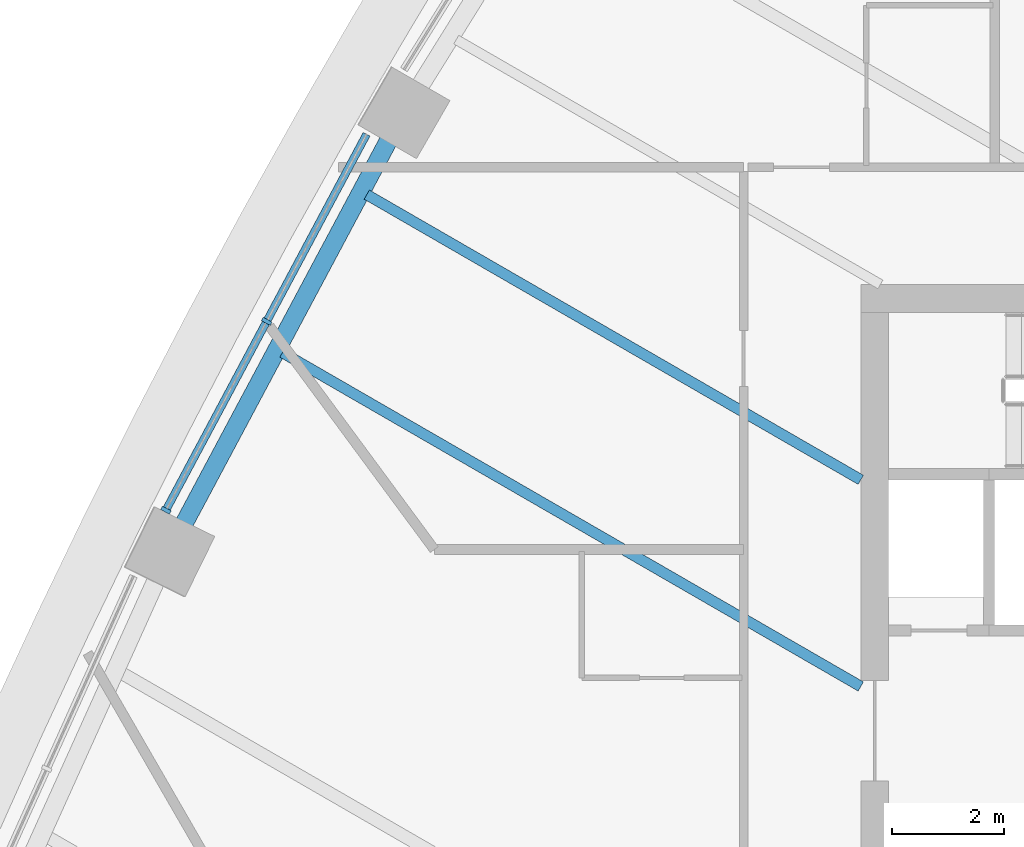
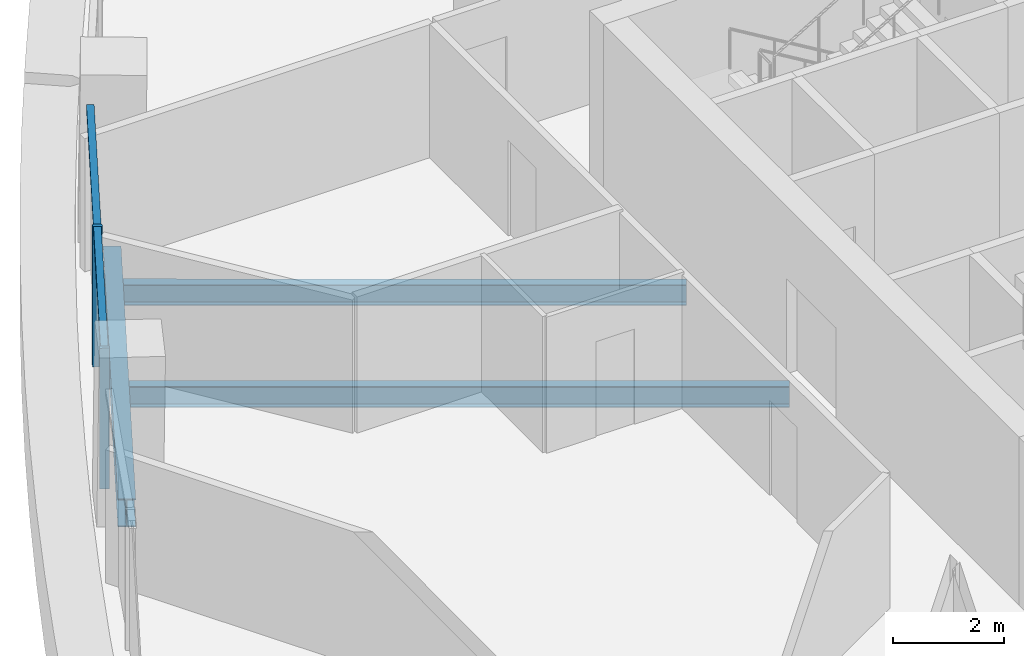
# One storey, part 3 of 17: 4 members, 3 beams, 1 element without a shape of its own.
"""IFC4 building model written with IfcOpenShell, lengths in metres."""

from ifc_helpers import new_model, si_unit, direction, frame, origin, origin_2d, place, context, subcontext, project, spatial, rectangle, i_section, extrude, material, layer, layer_set, material_profile, profile_set, type_object, element, aggregate, save


model = new_model("IFC4")

# Units and contexts
model_context = context("Model", 3, precision=1e-05, world=origin(), true_north=direction((0.0, 1.0)))
body_context = subcontext(model_context, "Body", "Model", "MODEL_VIEW")
ifc_project = project(units=[si_unit("LENGTHUNIT", "METRE"), si_unit("AREAUNIT", "SQUARE_METRE"), si_unit("VOLUMEUNIT", "CUBIC_METRE"), si_unit("PLANEANGLEUNIT", "RADIAN"), si_unit("MASSUNIT", "GRAM", prefix="KILO")], contexts=[model_context])

# Site, building, storey
site_placement = place(None, origin())
site = spatial("IfcSite", under=ifc_project, at=site_placement, CompositionType="ELEMENT")
building_placement = place(site_placement, origin())
building = spatial("IfcBuilding", under=site, at=building_placement, Name="Sierra Prisma Convention Tower", CompositionType="ELEMENT")
storey_placement = place(building_placement, frame((0.0, 0.0, 99.800048828125)))
storey = spatial("IfcBuildingStorey", under=building, at=storey_placement, Name="L21", CompositionType="ELEMENT", Elevation=99.800048828125)

# Curtain wall, members
ifc_material_1 = material(Name="Aluminium and glass curtain wall", Category="aluminium")
ifc_layer = layer(ifc_material_1, 0.179931640625)
ifc_layer_set = layer_set([ifc_layer], Name="CW-1 Plain shaft curtain wall")
curtain_wall_type = type_object("IfcCurtainWallType", Name="CW-1 Plain shaft curtain wall", PredefinedType="NOTDEFINED", material=ifc_layer_set)
curtain_wall_placement = place(storey_placement, origin())
curtain_wall = element("IfcCurtainWall", 1, at=curtain_wall_placement, inside=storey, type_object=curtain_wall_type, Name="CW-1 NW4 L21", PredefinedType="NOTDEFINED")
ifc_material_2 = material(Name="Aluminium 6063-T6 bronze anodised", Category="aluminium")
ifc_material_profile_1 = material_profile(ifc_material_2, rectangle(XDim=0.179931640625, YDim=0.070068359375, at=origin_2d()), Name="ALU MULLION 70x180")
ifc_profile_set_1 = profile_set([ifc_material_profile_1], Name="Aluminium 6063-T6 bronze anodised")
member_type_1 = type_object("IfcMemberType", Name="CW mullion bronze", PredefinedType="MULLION", material=ifc_profile_set_1)
member_1_placement = place(storey_placement, frame((-21.646240234375, 7.338623046875, 0.0), z_axis=(0.0, 0.0, 1.0), x_axis=(0.882188562804, -0.470896315189, 0.0)))
member_1 = element("IfcMember", 2, at=member_1_placement, type_object=member_type_1, Name="CW-1 mullion NW4.2", PredefinedType="MULLION", context=body_context, shape_type="SweptSolid", body=[
    extrude(rectangle(XDim=0.179931640625, YDim=0.070068359375, at=origin_2d()), origin(), (0.0, 0.0, 1.0), 3.099853515625),
])
member_2_placement = place(storey_placement, frame((-23.452392578125, 3.955078125, 0.0), z_axis=(0.0, 0.0, 1.0), x_axis=(0.882188562804, -0.470896315189, 0.0)))
member_2 = element("IfcMember", 3, at=member_2_placement, type_object=member_type_1, Name="CW-1 mullion NW4.3", PredefinedType="MULLION", context=body_context, shape_type="SweptSolid", body=[
    extrude(rectangle(XDim=0.179931640625, YDim=0.070068359375, at=origin_2d()), origin(), (0.0, 0.0, 1.0), 3.099853515625),
])
ifc_material_3 = material(Name="Aluminium 6063-T6 bronze anodised", Category="aluminium")
ifc_material_profile_2 = material_profile(ifc_material_3, rectangle(XDim=0.139892578125, YDim=0.1201171875, at=origin_2d()), Name="ALU TRANSOM 120x140")
ifc_profile_set_2 = profile_set([ifc_material_profile_2], Name="Aluminium 6063-T6 bronze anodised")
member_type_2 = type_object("IfcMemberType", Name="CW transom bronze", PredefinedType="USERDEFINED", material=ifc_profile_set_2)
member_3_placement = place(storey_placement, frame((-19.856689453125, 10.691162109375, 3.0400390625), z_axis=(-0.470914634013, -0.882178784302, 0.0), x_axis=(0.882178784302, -0.470914634013, 0.0)))
member_3 = element("IfcMember", 4, at=member_3_placement, type_object=member_type_2, Name="CW-1 transom NW4.1", ObjectType="TRANSOM", PredefinedType="USERDEFINED", context=body_context, shape_type="SweptSolid", body=[
    extrude(rectangle(XDim=0.139892578125, YDim=0.1201171875, at=origin_2d()), origin(), (0.0, 0.0, 1.0), 3.765380859375),
])
member_4_placement = place(storey_placement, frame((-21.662841796875, 7.3076171875, 3.0400390625), z_axis=(-0.470891108192, -0.882191342185, 0.0), x_axis=(0.882191342185, -0.470891108192, 0.0)))
member_4 = element("IfcMember", 5, at=member_4_placement, type_object=member_type_2, Name="CW-1 transom NW4.2", ObjectType="TRANSOM", PredefinedType="USERDEFINED", context=body_context, shape_type="SweptSolid", body=[
    extrude(rectangle(XDim=0.139892578125, YDim=0.1201171875, at=origin_2d()), origin(), (0.0, 0.0, 1.0), 3.76513671875),
])
aggregate(curtain_wall, [member_1, member_2, member_3, member_4])

# Beams
ifc_material_4 = material(Name="Steel ASTM A992 Gr 50", Category="steel")
ifc_material_profile_3 = material_profile(ifc_material_4, i_section(OverallWidth=0.18994140625, OverallDepth=0.45703125, WebThickness=0.009033203125, FlangeThickness=0.014404296875, at=origin_2d()), Name="W460x74")
ifc_profile_set_3 = profile_set([ifc_material_profile_3], Name="Steel ASTM A992 Gr 50")
beam_type_1 = type_object("IfcBeamType", Name="Floor joist W460x74", PredefinedType="JOIST", material=ifc_profile_set_3)
beam_1_placement = place(storey_placement, frame((-19.852783203125, 9.6103515625, -0.378662109375), z_axis=(0.866018145037, -0.500012572309, 0.0), x_axis=(0.500012572309, 0.866018145037, 0.0)))
element("IfcBeam", 6, at=beam_1_placement, inside=storey, type_object=beam_type_1, Name="Floor joist L21 NW09", PredefinedType="JOIST", context=body_context, shape_type="SweptSolid", body=[
    extrude(i_section(OverallWidth=0.18994140625, OverallDepth=0.45703125, WebThickness=0.009033203125, FlangeThickness=0.014404296875, at=origin_2d()), origin(), (0.0, 0.0, 1.0), 10.222412109375),
])
beam_2_placement = place(storey_placement, frame((-21.364013671875, 6.779052734375, -0.378662109375), z_axis=(0.866026254271, -0.499998526912, 0.0), x_axis=(0.499998526912, 0.866026254271, 0.0)))
element("IfcBeam", 7, at=beam_2_placement, inside=storey, type_object=beam_type_1, Name="Floor joist L21 NW10", PredefinedType="JOIST", context=body_context, shape_type="SweptSolid", body=[
    extrude(i_section(OverallWidth=0.18994140625, OverallDepth=0.45703125, WebThickness=0.009033203125, FlangeThickness=0.014404296875, at=origin_2d()), origin(), (0.0, 0.0, 1.0), 11.96728515625),
])
ifc_material_5 = material(Name="Steel ASTM A992 Gr 50", Category="steel")
ifc_material_profile_4 = material_profile(ifc_material_5, i_section(OverallWidth=0.324951171875, OverallDepth=0.615966796875, WebThickness=0.013916015625, FlangeThickness=0.021484375, at=origin_2d()), Name="W610x174")
ifc_profile_set_4 = profile_set([ifc_material_profile_4], Name="Steel ASTM A992 Gr 50")
beam_type_2 = type_object("IfcBeamType", Name="Spandrel beam W610x174", PredefinedType="BEAM", material=ifc_profile_set_4)
beam_3_placement = place(storey_placement, frame((-19.4208984375, 10.658447265625, -0.4580078125), z_axis=(-0.470898392557, -0.882187453939, 0.0), x_axis=(0.882187453939, -0.470898392557, 0.0)))
element("IfcBeam", 8, at=beam_3_placement, inside=storey, type_object=beam_type_2, Name="Spandrel L21-16", PredefinedType="BEAM", context=body_context, shape_type="SweptSolid", body=[
    extrude(i_section(OverallWidth=0.324951171875, OverallDepth=0.615966796875, WebThickness=0.013916015625, FlangeThickness=0.021484375, at=origin_2d()), origin(), (0.0, 0.0, 1.0), 7.966064453125),
])

save(model, "model.ifc")
